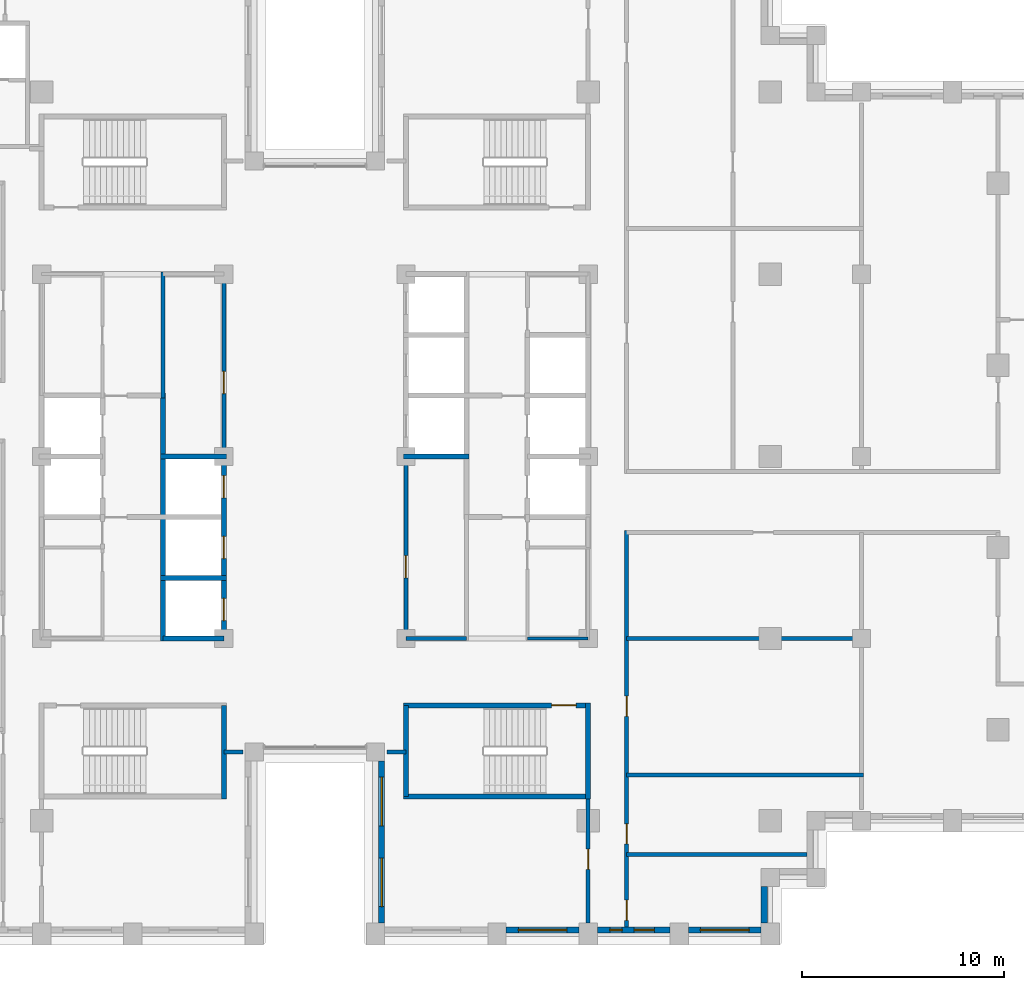
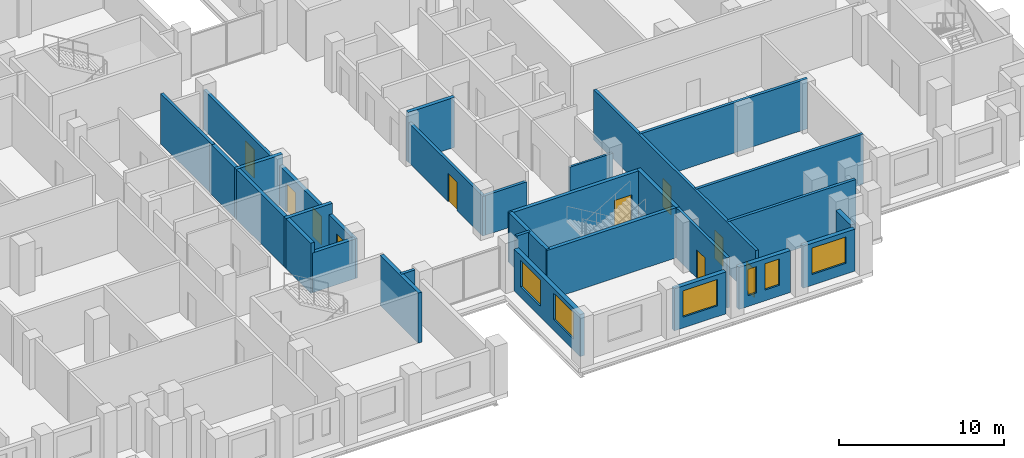
# One storey, part 8 of 15: 28 walls, 10 doors, 6 windows, 16 openings.
"""IFC4 building model written with IfcOpenShell, lengths in metres."""

from ifc_helpers import new_model, si_unit, direction, frame, frame_2d, origin, place, context, subcontext, project, spatial, rectangle, extrude, material, layer, layer_set, type_object, element, fill, save


model = new_model("IFC4")

# Units and contexts
model_context = context("Model", 3, precision=1e-05, world=origin(), true_north=direction((0.0, 1.0)))
body_context = subcontext(model_context, "Body", "Model", "MODEL_VIEW")
ifc_project = project(units=[si_unit("LENGTHUNIT", "METRE"), si_unit("AREAUNIT", "SQUARE_METRE"), si_unit("VOLUMEUNIT", "CUBIC_METRE"), si_unit("PLANEANGLEUNIT", "RADIAN"), si_unit("MASSUNIT", "GRAM", prefix="KILO")], contexts=[model_context])

# Site, building, storey
site_placement = place(None, origin())
site = spatial("IfcSite", under=ifc_project, at=site_placement, CompositionType="ELEMENT")
building_placement = place(site_placement, origin())
building = spatial("IfcBuilding", under=site, at=building_placement, Name="Corbelhall Arena Tower", CompositionType="ELEMENT")
storey_placement = place(building_placement, frame((0.0, 0.0, 166.0)))
storey = spatial("IfcBuildingStorey", under=building, at=storey_placement, Name="L33", CompositionType="ELEMENT", Elevation=166.0)

# Wall, openings, windows
ifc_material_1 = material(Name="Precast concrete C40/50 with granite facing", Category="masonry")
ifc_layer_1 = layer(ifc_material_1, 0.300048828125)
ifc_layer_set_1 = layer_set([ifc_layer_1], Name="EV-IW1 Infill panel 300")
wall_type_1 = type_object("IfcWallType", Name="EV-IW1 Infill panel 300", PredefinedType="SOLIDWALL", material=ifc_layer_set_1)
wall_1_placement = place(storey_placement, frame((3.300048828125, -15.050048828125, 0.0), z_axis=(0.0, 0.0, 1.0), x_axis=(0.0, -1.0, 0.0)))
wall_1 = element("IfcWall", 1, at=wall_1_placement, inside=storey, type_object=wall_type_1, Name="Infill panel IW1", PredefinedType="SOLIDWALL", context=body_context, shape_type="SweptSolid", body=[
    extrude(rectangle(XDim=8.0, YDim=0.300048828125, at=frame_2d((4.0, 0.0))), origin(), (0.0, 0.0, 1.0), 3.10009765625),
])
opening_1_placement = place(wall_1_placement, frame((0.800048828125, 0.0, 0.800048828125)))
opening_1 = element("IfcOpeningElement", 2, at=opening_1_placement, cuts=wall_1, Name="Opening WN1", PredefinedType="OPENING", context=body_context, shape_type="SweptSolid", body=[
    extrude(rectangle(XDim=2.39990234375, YDim=1.949951171875, at=frame_2d((1.199951171875, 0.97509765625))), frame((0.0, 0.14990234375, 0.0), z_axis=(0.0, -1.0, 0.0), x_axis=(1.0, 0.0, 0.0)), (0.0, 0.0, 1.0), 0.300048828125),
])
opening_2_placement = place(wall_1_placement, frame((4.800048828125, 0.0, 0.800048828125)))
opening_2 = element("IfcOpeningElement", 3, at=opening_2_placement, cuts=wall_1, Name="Opening WN1", PredefinedType="OPENING", context=body_context, shape_type="SweptSolid", body=[
    extrude(rectangle(XDim=2.39990234375, YDim=1.949951171875, at=frame_2d((1.199951171875, 0.97509765625))), frame((0.0, 0.14990234375, 0.0), z_axis=(0.0, -1.0, 0.0), x_axis=(1.0, 0.0, 0.0)), (0.0, 0.0, 1.0), 0.300048828125),
])
ifc_material_2 = material(Name="Aluminium black anodised", Category="aluminium")
window_type_1 = type_object("IfcWindowType", Name="EV-WN1 Office window", PartitioningType="SINGLE_PANEL", PredefinedType="WINDOW", material=ifc_material_2)
window_1_placement = place(opening_1_placement, origin())
window_1 = element("IfcWindow", 4, at=window_1_placement, inside=storey, type_object=window_type_1, Name="Window WN1", OverallHeight=1.949951171875, OverallWidth=2.39990234375, PartitioningType="SINGLE_PANEL", PredefinedType="WINDOW", context=body_context, shape_type="SweptSolid", body=[
    extrude(rectangle(XDim=2.39990234375, YDim=1.949951171875, at=frame_2d((1.199951171875, 0.97509765625))), frame((0.0, 0.030029296875, 0.0), z_axis=(0.0, -1.0, 0.0), x_axis=(1.0, 0.0, 0.0)), (0.0, 0.0, 1.0), 0.06005859375),
])
fill(opening_1, window_1)
window_2_placement = place(opening_2_placement, origin())
window_2 = element("IfcWindow", 5, at=window_2_placement, inside=storey, type_object=window_type_1, Name="Window WN1", OverallHeight=1.949951171875, OverallWidth=2.39990234375, PartitioningType="SINGLE_PANEL", PredefinedType="WINDOW", context=body_context, shape_type="SweptSolid", body=[
    extrude(rectangle(XDim=2.39990234375, YDim=1.949951171875, at=frame_2d((1.199951171875, 0.97509765625))), frame((0.0, 0.030029296875, 0.0), z_axis=(0.0, -1.0, 0.0), x_axis=(1.0, 0.0, 0.0)), (0.0, 0.0, 1.0), 0.06005859375),
])
fill(opening_2, window_2)

# Wall, opening, window
wall_2_placement = place(storey_placement, frame((9.449951171875, -23.39990234375, 0.0), z_axis=(0.0, 0.0, 1.0), x_axis=(1.0, 0.0, 0.0)))
wall_2 = element("IfcWall", 6, at=wall_2_placement, inside=storey, type_object=wall_type_1, Name="Infill panel IW1", PredefinedType="SOLIDWALL", context=body_context, shape_type="SweptSolid", body=[
    extrude(rectangle(XDim=3.60009765625, YDim=0.300048828125, at=frame_2d((1.800048828125, 0.0))), origin(), (0.0, 0.0, 1.0), 3.10009765625),
])
opening_3_placement = place(wall_2_placement, frame((0.60009765625, 0.0, 0.800048828125)))
opening_3 = element("IfcOpeningElement", 7, at=opening_3_placement, cuts=wall_2, Name="Opening WN1", PredefinedType="OPENING", context=body_context, shape_type="SweptSolid", body=[
    extrude(rectangle(XDim=2.39990234375, YDim=1.949951171875, at=frame_2d((1.199951171875, 0.97509765625))), frame((0.0, 0.14990234375, 0.0), z_axis=(0.0, -1.0, 0.0), x_axis=(1.0, 0.0, 0.0)), (0.0, 0.0, 1.0), 0.300048828125),
])
window_3_placement = place(opening_3_placement, origin())
window_3 = element("IfcWindow", 8, at=window_3_placement, inside=storey, type_object=window_type_1, Name="Window WN1", OverallHeight=1.949951171875, OverallWidth=2.39990234375, PartitioningType="SINGLE_PANEL", PredefinedType="WINDOW", context=body_context, shape_type="SweptSolid", body=[
    extrude(rectangle(XDim=2.39990234375, YDim=1.949951171875, at=frame_2d((1.199951171875, 0.97509765625))), frame((0.0, 0.030029296875, 0.0), z_axis=(0.0, -1.0, 0.0), x_axis=(1.0, 0.0, 0.0)), (0.0, 0.0, 1.0), 0.06005859375),
])
fill(opening_3, window_3)

# Wall, openings, windows
wall_3_placement = place(storey_placement, frame((13.949951171875, -23.39990234375, 0.0), z_axis=(0.0, 0.0, 1.0), x_axis=(1.0, 0.0, 0.0)))
wall_3 = element("IfcWall", 9, at=wall_3_placement, inside=storey, type_object=wall_type_1, Name="Infill panel IW1", PredefinedType="SOLIDWALL", context=body_context, shape_type="SweptSolid", body=[
    extrude(rectangle(XDim=3.60009765625, YDim=0.300048828125, at=frame_2d((1.800048828125, 0.0))), origin(), (0.0, 0.0, 1.0), 3.10009765625),
])
opening_4_placement = place(wall_3_placement, frame((0.625, 0.0, 0.800048828125)))
opening_4 = element("IfcOpeningElement", 10, at=opening_4_placement, cuts=wall_3, Name="Opening WN5", PredefinedType="OPENING", context=body_context, shape_type="SweptSolid", body=[
    extrude(rectangle(XDim=0.60009765625, YDim=1.949951171875, at=frame_2d((0.300048828125, 0.97509765625))), frame((0.0, 0.14990234375, 0.0), z_axis=(0.0, -1.0, 0.0), x_axis=(1.0, 0.0, 0.0)), (0.0, 0.0, 1.0), 0.300048828125),
])
opening_5_placement = place(wall_3_placement, frame((1.824951171875, 0.0, 0.800048828125)))
opening_5 = element("IfcOpeningElement", 11, at=opening_5_placement, cuts=wall_3, Name="Opening WN6", PredefinedType="OPENING", context=body_context, shape_type="SweptSolid", body=[
    extrude(rectangle(XDim=1.0, YDim=1.949951171875, at=frame_2d((0.5, 0.97509765625))), frame((0.0, 0.14990234375, 0.0), z_axis=(0.0, -1.0, 0.0), x_axis=(1.0, 0.0, 0.0)), (0.0, 0.0, 1.0), 0.300048828125),
])
window_type_2 = type_object("IfcWindowType", Name="EV-WN5 Office window 600", PartitioningType="SINGLE_PANEL", PredefinedType="WINDOW", material=ifc_material_2)
window_4_placement = place(opening_4_placement, origin())
window_4 = element("IfcWindow", 12, at=window_4_placement, inside=storey, type_object=window_type_2, Name="Window WN5", OverallHeight=1.949951171875, OverallWidth=0.60009765625, PartitioningType="SINGLE_PANEL", PredefinedType="WINDOW", context=body_context, shape_type="SweptSolid", body=[
    extrude(rectangle(XDim=0.60009765625, YDim=1.949951171875, at=frame_2d((0.300048828125, 0.97509765625))), frame((0.0, 0.030029296875, 0.0), z_axis=(0.0, -1.0, 0.0), x_axis=(1.0, 0.0, 0.0)), (0.0, 0.0, 1.0), 0.06005859375),
])
fill(opening_4, window_4)
window_type_3 = type_object("IfcWindowType", Name="EV-WN6 Office window 1000", PartitioningType="SINGLE_PANEL", PredefinedType="WINDOW", material=ifc_material_2)
window_5_placement = place(opening_5_placement, origin())
window_5 = element("IfcWindow", 13, at=window_5_placement, inside=storey, type_object=window_type_3, Name="Window WN6", OverallHeight=1.949951171875, OverallWidth=1.0, PartitioningType="SINGLE_PANEL", PredefinedType="WINDOW", context=body_context, shape_type="SweptSolid", body=[
    extrude(rectangle(XDim=1.0, YDim=1.949951171875, at=frame_2d((0.5, 0.97509765625))), frame((0.0, 0.030029296875, 0.0), z_axis=(0.0, -1.0, 0.0), x_axis=(1.0, 0.0, 0.0)), (0.0, 0.0, 1.0), 0.06005859375),
])
fill(opening_5, window_5)

# Wall, opening, window
wall_4_placement = place(storey_placement, frame((18.449951171875, -23.39990234375, 0.0), z_axis=(0.0, 0.0, 1.0), x_axis=(1.0, 0.0, 0.0)))
wall_4 = element("IfcWall", 14, at=wall_4_placement, inside=storey, type_object=wall_type_1, Name="Infill panel IW1", PredefinedType="SOLIDWALL", context=body_context, shape_type="SweptSolid", body=[
    extrude(rectangle(XDim=3.60009765625, YDim=0.300048828125, at=frame_2d((1.800048828125, 0.0))), origin(), (0.0, 0.0, 1.0), 3.10009765625),
])
opening_6_placement = place(wall_4_placement, frame((0.60009765625, 0.0, 0.800048828125)))
opening_6 = element("IfcOpeningElement", 15, at=opening_6_placement, cuts=wall_4, Name="Opening WN1", PredefinedType="OPENING", context=body_context, shape_type="SweptSolid", body=[
    extrude(rectangle(XDim=2.39990234375, YDim=1.949951171875, at=frame_2d((1.199951171875, 0.97509765625))), frame((0.0, 0.14990234375, 0.0), z_axis=(0.0, -1.0, 0.0), x_axis=(1.0, 0.0, 0.0)), (0.0, 0.0, 1.0), 0.300048828125),
])
window_6_placement = place(opening_6_placement, origin())
window_6 = element("IfcWindow", 16, at=window_6_placement, inside=storey, type_object=window_type_1, Name="Window WN1", OverallHeight=1.949951171875, OverallWidth=2.39990234375, PartitioningType="SINGLE_PANEL", PredefinedType="WINDOW", context=body_context, shape_type="SweptSolid", body=[
    extrude(rectangle(XDim=2.39990234375, YDim=1.949951171875, at=frame_2d((1.199951171875, 0.97509765625))), frame((0.0, 0.030029296875, 0.0), z_axis=(0.0, -1.0, 0.0), x_axis=(1.0, 0.0, 0.0)), (0.0, 0.0, 1.0), 0.06005859375),
])
fill(opening_6, window_6)

# Walls
wall_5_placement = place(storey_placement, frame((22.199951171875, -23.050048828125, 0.0), z_axis=(0.0, 0.0, 1.0), x_axis=(0.0, 1.0, 0.0)))
element("IfcWall", 17, at=wall_5_placement, inside=storey, type_object=wall_type_1, Name="Infill panel IW1", PredefinedType="SOLIDWALL", context=body_context, shape_type="SweptSolid", body=[
    extrude(rectangle(XDim=1.800048828125, YDim=0.300048828125, at=frame_2d((0.89990234375, 0.0))), origin(), (0.0, 0.0, 1.0), 3.10009765625),
])
ifc_material_3 = material(Name="Gypsum board on steel stud, acoustic", Category="steel")
ifc_layer_2 = layer(ifc_material_3, 0.199951171875)
ifc_layer_set_2 = layer_set([ifc_layer_2], Name="IN-W-DM200")
wall_type_2 = type_object("IfcWallType", Name="IN-W-DM200", PredefinedType="PARTITIONING", material=ifc_layer_set_2)
for number, where, z_axis, x_axis, name in (
    (18, (-3.550048828125, -14.60009765625, 0.0), (0.0, 0.0, 1.0), (-1.0, 0.0, 0.0), "Partition 024"),
    (19, (4.5, -14.60009765625, 0.0), (0.0, 0.0, 1.0), (-1.0, 0.0, 0.0), "Partition 026"),
):
    element("IfcWall", number, at=place(storey_placement, frame(where, z_axis=z_axis, x_axis=x_axis)), inside=storey, type_object=wall_type_2, Name=name, PredefinedType="PARTITIONING", context=body_context, shape_type="SweptSolid", body=[
        extrude(rectangle(XDim=0.949951171875, YDim=0.199951171875, at=frame_2d((0.47509765625, 0.0))), origin(), (0.0, 0.0, 1.0), 3.699951171875),
    ])

# Wall, opening, door
wall_6_placement = place(storey_placement, frame((13.5, -23.050048828125, 0.0), z_axis=(0.0, 0.0, 1.0), x_axis=(0.0, 1.0, 0.0)))
wall_6 = element("IfcWall", 20, at=wall_6_placement, inside=storey, type_object=wall_type_2, Name="Partition 027", PredefinedType="PARTITIONING", context=body_context, shape_type="SweptSolid", body=[
    extrude(rectangle(XDim=6.375, YDim=0.199951171875, at=frame_2d((3.1875, 0.0))), origin(), (0.0, 0.0, 1.0), 3.699951171875),
])
opening_7_placement = place(wall_6_placement, frame((2.64990234375, 0.0, 0.0)))
opening_7 = element("IfcOpeningElement", 21, at=opening_7_placement, cuts=wall_6, Name="Opening 09023", PredefinedType="OPENING", context=body_context, shape_type="SweptSolid", body=[
    extrude(rectangle(XDim=1.0, YDim=2.10009765625, at=frame_2d((0.5, 1.050048828125))), frame((0.0, 0.10009765625, 0.0), z_axis=(0.0, -1.0, 0.0), x_axis=(1.0, 0.0, 0.0)), (0.0, 0.0, 1.0), 0.199951171875),
])
ifc_material_4 = material(Name="Steel door set", Category="steel")
door_type_1 = type_object("IfcDoorType", Name="IN-D-SW100", OperationType="NOTDEFINED", PredefinedType="DOOR", material=ifc_material_4)
door_1_placement = place(opening_7_placement, origin())
door_1 = element("IfcDoor", 22, at=door_1_placement, inside=storey, type_object=door_type_1, Name="Door 023", OperationType="SINGLE_SWING_RIGHT", OverallHeight=2.10009765625, OverallWidth=1.0, PredefinedType="DOOR", context=body_context, shape_type="SweptSolid", body=[
    extrude(rectangle(XDim=1.0, YDim=2.10009765625, at=frame_2d((0.5, 1.050048828125))), frame((0.0, 0.02490234375, 0.0), z_axis=(0.0, -1.0, 0.0), x_axis=(1.0, 0.0, 0.0)), (0.0, 0.0, 1.0), 0.050048828125),
])
fill(opening_7, door_1)

# Wall
wall_7_placement = place(storey_placement, frame((15.39990234375, -19.675048828125, 0.0), z_axis=(0.0, 0.0, 1.0), x_axis=(1.0, 0.0, 0.0)))
element("IfcWall", 23, at=wall_7_placement, inside=storey, type_object=wall_type_2, Name="Partition 029", PredefinedType="PARTITIONING", context=body_context, shape_type="SweptSolid", body=[
    extrude(rectangle(XDim=8.900146484375, YDim=0.199951171875, at=frame_2d((4.4501953125, 0.0))), origin(), (0.0, 0.0, 1.0), 3.699951171875),
])

# Wall, openings, doors
wall_8_placement = place(storey_placement, frame((15.39990234375, -3.64990234375, 0.0), z_axis=(0.0, 0.0, 1.0), x_axis=(0.0, -1.0, 0.0)))
wall_8 = element("IfcWall", 24, at=wall_8_placement, inside=storey, type_object=wall_type_2, Name="Partition 030", PredefinedType="PARTITIONING", context=body_context, shape_type="SweptSolid", body=[
    extrude(rectangle(XDim=19.60009765625, YDim=0.199951171875, at=frame_2d((9.800048828125, 0.0))), origin(), (0.0, 0.0, 1.0), 3.699951171875),
])
opening_8_placement = place(wall_8_placement, frame((18.27490234375, 0.0, 0.0)))
opening_8 = element("IfcOpeningElement", 25, at=opening_8_placement, cuts=wall_8, Name="Opening 09035", PredefinedType="OPENING", context=body_context, shape_type="SweptSolid", body=[
    extrude(rectangle(XDim=1.0, YDim=2.10009765625, at=frame_2d((0.5, 1.050048828125))), frame((0.0, 0.10009765625, 0.0), z_axis=(0.0, -1.0, 0.0), x_axis=(1.0, 0.0, 0.0)), (0.0, 0.0, 1.0), 0.199951171875),
])
opening_9_placement = place(wall_8_placement, frame((14.5, 0.0, 0.0)))
opening_9 = element("IfcOpeningElement", 26, at=opening_9_placement, cuts=wall_8, Name="Opening 09036", PredefinedType="OPENING", context=body_context, shape_type="SweptSolid", body=[
    extrude(rectangle(XDim=1.0, YDim=2.10009765625, at=frame_2d((0.5, 1.050048828125))), frame((0.0, 0.10009765625, 0.0), z_axis=(0.0, -1.0, 0.0), x_axis=(1.0, 0.0, 0.0)), (0.0, 0.0, 1.0), 0.199951171875),
])
opening_10_placement = place(wall_8_placement, frame((8.199951171875, 0.0, 0.0)))
opening_10 = element("IfcOpeningElement", 27, at=opening_10_placement, cuts=wall_8, Name="Opening 09037", PredefinedType="OPENING", context=body_context, shape_type="SweptSolid", body=[
    extrude(rectangle(XDim=1.0, YDim=2.10009765625, at=frame_2d((0.5, 1.050048828125))), frame((0.0, 0.10009765625, 0.0), z_axis=(0.0, -1.0, 0.0), x_axis=(1.0, 0.0, 0.0)), (0.0, 0.0, 1.0), 0.199951171875),
])
door_2_placement = place(opening_8_placement, origin())
door_2 = element("IfcDoor", 28, at=door_2_placement, inside=storey, type_object=door_type_1, Name="Door 035", OperationType="SINGLE_SWING_RIGHT", OverallHeight=2.10009765625, OverallWidth=1.0, PredefinedType="DOOR", context=body_context, shape_type="SweptSolid", body=[
    extrude(rectangle(XDim=1.0, YDim=2.10009765625, at=frame_2d((0.5, 1.050048828125))), frame((0.0, 0.02490234375, 0.0), z_axis=(0.0, -1.0, 0.0), x_axis=(1.0, 0.0, 0.0)), (0.0, 0.0, 1.0), 0.050048828125),
])
fill(opening_8, door_2)
door_3_placement = place(opening_9_placement, origin())
door_3 = element("IfcDoor", 29, at=door_3_placement, inside=storey, type_object=door_type_1, Name="Door 036", OperationType="SINGLE_SWING_LEFT", OverallHeight=2.10009765625, OverallWidth=1.0, PredefinedType="DOOR", context=body_context, shape_type="SweptSolid", body=[
    extrude(rectangle(XDim=1.0, YDim=2.10009765625, at=frame_2d((0.5, 1.050048828125))), frame((0.0, 0.02490234375, 0.0), z_axis=(0.0, -1.0, 0.0), x_axis=(1.0, 0.0, 0.0)), (0.0, 0.0, 1.0), 0.050048828125),
])
fill(opening_9, door_3)
door_4_placement = place(opening_10_placement, origin())
door_4 = element("IfcDoor", 30, at=door_4_placement, inside=storey, type_object=door_type_1, Name="Door 037", OperationType="SINGLE_SWING_RIGHT", OverallHeight=2.10009765625, OverallWidth=1.0, PredefinedType="DOOR", context=body_context, shape_type="SweptSolid", body=[
    extrude(rectangle(XDim=1.0, YDim=2.10009765625, at=frame_2d((0.5, 1.050048828125))), frame((0.0, 0.02490234375, 0.0), z_axis=(0.0, -1.0, 0.0), x_axis=(1.0, 0.0, 0.0)), (0.0, 0.0, 1.0), 0.050048828125),
])
fill(opening_10, door_4)

# Walls
for number, where, z_axis, x_axis, name in (
    (31, (15.39990234375, -15.75, 0.0), (0.0, 0.0, 1.0), (1.0, 0.0, 0.0), "Partition 031"),
    (32, (15.39990234375, -9.0, 0.0), (0.0, 0.0, 1.0), (1.0, 0.0, 0.0), "Partition 032"),
):
    element("IfcWall", number, at=place(storey_placement, frame(where, z_axis=z_axis, x_axis=x_axis)), inside=storey, type_object=wall_type_2, Name=name, PredefinedType="PARTITIONING", context=body_context, shape_type="SweptSolid", body=[
        extrude(rectangle(XDim=11.7001953125, YDim=0.199951171875, at=frame_2d((5.85009765625, 0.0))), origin(), (0.0, 0.0, 1.0), 3.699951171875),
    ])
ifc_material_5 = material(Name="Concrete block wall", Category="concrete")
ifc_layer_3 = layer(ifc_material_5, 0.199951171875)
ifc_layer_set_3 = layer_set([ifc_layer_3], Name="IN-W-RS200")
wall_type_3 = type_object("IfcWallType", Name="IN-W-RS200", PredefinedType="SOLIDWALL", material=ifc_layer_set_3)
wall_9_placement = place(storey_placement, frame((-7.5, 2.875, 0.0), z_axis=(0.0, 0.0, 1.0), x_axis=(0.0, 1.0, 0.0)))
element("IfcWall", 33, at=wall_9_placement, inside=storey, type_object=wall_type_3, Name="Partition 046", PredefinedType="SOLIDWALL", context=body_context, shape_type="SweptSolid", body=[
    extrude(rectangle(XDim=6.22509765625, YDim=0.199951171875, at=frame_2d((3.112548828125, 0.0))), origin(), (0.0, 0.0, 1.0), 3.699951171875),
])

# Wall, opening, door
ifc_layer_4 = layer(ifc_material_5, 0.199951171875)
ifc_layer_set_4 = layer_set([ifc_layer_4], Name="IN-W-RS200 under beam 762 mm")
wall_type_4 = type_object("IfcWallType", Name="IN-W-RS200 under beam 762 mm", PredefinedType="SOLIDWALL", material=ifc_layer_set_4)
wall_10_placement = place(storey_placement, frame((-4.5, 9.10009765625, 0.0), z_axis=(0.0, 0.0, 1.0), x_axis=(0.0, -1.0, 0.0)))
wall_10 = element("IfcWall", 34, at=wall_10_placement, inside=storey, type_object=wall_type_4, Name="Partition 048", PredefinedType="SOLIDWALL", context=body_context, shape_type="SweptSolid", body=[
    extrude(rectangle(XDim=9.10009765625, YDim=0.199951171875, at=frame_2d((4.550048828125, 0.0))), origin(), (0.0, 0.0, 1.0), 2.93798828125),
])
opening_11_placement = place(wall_10_placement, frame((4.89990234375, 0.0, 0.0)))
opening_11 = element("IfcOpeningElement", 35, at=opening_11_placement, cuts=wall_10, Name="Opening 09001", PredefinedType="OPENING", context=body_context, shape_type="SweptSolid", body=[
    extrude(rectangle(XDim=1.10009765625, YDim=2.10009765625, at=frame_2d((0.550048828125, 1.050048828125))), frame((0.0, 0.10009765625, 0.0), z_axis=(0.0, -1.0, 0.0), x_axis=(1.0, 0.0, 0.0)), (0.0, 0.0, 1.0), 0.199951171875),
])
door_type_2 = type_object("IfcDoorType", Name="IN-D-FD110", OperationType="NOTDEFINED", PredefinedType="DOOR", material=ifc_material_4)
door_5_placement = place(opening_11_placement, origin())
door_5 = element("IfcDoor", 36, at=door_5_placement, inside=storey, type_object=door_type_2, Name="Door 001", OperationType="SINGLE_SWING_RIGHT", OverallHeight=2.10009765625, OverallWidth=1.10009765625, PredefinedType="DOOR", context=body_context, shape_type="SweptSolid", body=[
    extrude(rectangle(XDim=1.10009765625, YDim=2.10009765625, at=frame_2d((0.550048828125, 1.050048828125))), frame((0.0, 0.02490234375, 0.0), z_axis=(0.0, -1.0, 0.0), x_axis=(1.0, 0.0, 0.0)), (0.0, 0.0, 1.0), 0.050048828125),
])
fill(opening_11, door_5)

wall_11_placement = place(storey_placement, frame((4.5, -9.10009765625, 0.0), z_axis=(0.0, 0.0, 1.0), x_axis=(0.0, 1.0, 0.0)))
wall_11 = element("IfcWall", 37, at=wall_11_placement, inside=storey, type_object=wall_type_4, Name="Partition 049", PredefinedType="SOLIDWALL", context=body_context, shape_type="SweptSolid", body=[
    extrude(rectangle(XDim=9.10009765625, YDim=0.199951171875, at=frame_2d((4.550048828125, 0.0))), origin(), (0.0, 0.0, 1.0), 2.93798828125),
])
opening_12_placement = place(wall_11_placement, frame((3.10009765625, 0.0, 0.0)))
opening_12 = element("IfcOpeningElement", 38, at=opening_12_placement, cuts=wall_11, Name="Opening 09007", PredefinedType="OPENING", context=body_context, shape_type="SweptSolid", body=[
    extrude(rectangle(XDim=1.10009765625, YDim=2.10009765625, at=frame_2d((0.550048828125, 1.050048828125))), frame((0.0, 0.10009765625, 0.0), z_axis=(0.0, -1.0, 0.0), x_axis=(1.0, 0.0, 0.0)), (0.0, 0.0, 1.0), 0.199951171875),
])
door_6_placement = place(opening_12_placement, origin())
door_6 = element("IfcDoor", 39, at=door_6_placement, inside=storey, type_object=door_type_2, Name="Door 007", OperationType="SINGLE_SWING_RIGHT", OverallHeight=2.10009765625, OverallWidth=1.10009765625, PredefinedType="DOOR", context=body_context, shape_type="SweptSolid", body=[
    extrude(rectangle(XDim=1.10009765625, YDim=2.10009765625, at=frame_2d((0.550048828125, 1.050048828125))), frame((0.0, 0.02490234375, 0.0), z_axis=(0.0, -1.0, 0.0), x_axis=(1.0, 0.0, 0.0)), (0.0, 0.0, 1.0), 0.050048828125),
])
fill(opening_12, door_6)

# Walls
wall_12_placement = place(storey_placement, frame((7.5, -9.0, 0.0), z_axis=(0.0, 0.0, 1.0), x_axis=(-1.0, 0.0, 0.0)))
element("IfcWall", 40, at=wall_12_placement, inside=storey, type_object=wall_type_4, Name="Partition 050", PredefinedType="SOLIDWALL", context=body_context, shape_type="SweptSolid", body=[
    extrude(rectangle(XDim=3.0, YDim=0.199951171875, at=frame_2d((1.5, 0.0))), origin(), (0.0, 0.0, 1.0), 2.93798828125),
])
ifc_material_6 = material(Name="Concrete C40/50", Category="concrete")
ifc_layer_5 = layer(ifc_material_6, 0.25)
ifc_layer_set_5 = layer_set([ifc_layer_5], Name="IN-W-SH250")
wall_type_5 = type_object("IfcWallType", Name="IN-W-SH250", PredefinedType="SOLIDWALL", material=ifc_layer_set_5)
for number, where, z_axis, x_axis, name in (
    (41, (-7.625, -6.0, 0.0), (0.0, 0.0, 1.0), (1.0, 0.0, 0.0), "Shaft wall 062"),
    (42, (-7.625, 0.0, 0.0), (0.0, 0.0, 1.0), (1.0, 0.0, 0.0), "Shaft wall 063"),
):
    element("IfcWall", number, at=place(storey_placement, frame(where, z_axis=z_axis, x_axis=x_axis)), inside=storey, type_object=wall_type_5, Name=name, PredefinedType="SOLIDWALL", context=body_context, shape_type="SweptSolid", body=[
        extrude(rectangle(XDim=3.25, YDim=0.25, at=frame_2d((1.625, 0.0))), origin(), (0.0, 0.0, 1.0), 3.699951171875),
    ])
wall_13_placement = place(storey_placement, frame((-7.5, -9.125, 0.0), z_axis=(0.0, 0.0, 1.0), x_axis=(0.0, 1.0, 0.0)))
element("IfcWall", 43, at=wall_13_placement, inside=storey, type_object=wall_type_5, Name="Shaft wall 064", PredefinedType="SOLIDWALL", context=body_context, shape_type="SweptSolid", body=[
    extrude(rectangle(XDim=12.25, YDim=0.25, at=frame_2d((6.125, 0.0))), origin(), (0.0, 0.0, 1.0), 3.699951171875),
])
wall_14_placement = place(storey_placement, frame((4.375, 0.0, 0.0), z_axis=(0.0, 0.0, 1.0), x_axis=(1.0, 0.0, 0.0)))
element("IfcWall", 44, at=wall_14_placement, inside=storey, type_object=wall_type_5, Name="Shaft wall 067", PredefinedType="SOLIDWALL", context=body_context, shape_type="SweptSolid", body=[
    extrude(rectangle(XDim=3.25, YDim=0.25, at=frame_2d((1.625, 0.0))), origin(), (0.0, 0.0, 1.0), 3.699951171875),
])
ifc_layer_6 = layer(ifc_material_6, 0.25)
ifc_layer_set_6 = layer_set([ifc_layer_6], Name="IN-W-SH250 under beam 762 mm")
wall_type_6 = type_object("IfcWallType", Name="IN-W-SH250 under beam 762 mm", PredefinedType="SOLIDWALL", material=ifc_layer_set_6)
wall_15_placement = place(storey_placement, frame((-4.5, -9.0, 0.0), z_axis=(0.0, 0.0, 1.0), x_axis=(-1.0, 0.0, 0.0)))
element("IfcWall", 45, at=wall_15_placement, inside=storey, type_object=wall_type_6, Name="Shaft wall 065", PredefinedType="SOLIDWALL", context=body_context, shape_type="SweptSolid", body=[
    extrude(rectangle(XDim=3.0, YDim=0.25, at=frame_2d((1.5, 0.0))), origin(), (0.0, 0.0, 1.0), 2.93798828125),
])

# Wall, openings, doors
wall_16_placement = place(storey_placement, frame((-4.5, 0.0, 0.0), z_axis=(0.0, 0.0, 1.0), x_axis=(0.0, -1.0, 0.0)))
wall_16 = element("IfcWall", 46, at=wall_16_placement, inside=storey, type_object=wall_type_6, Name="Shaft wall 066", PredefinedType="SOLIDWALL", context=body_context, shape_type="SweptSolid", body=[
    extrude(rectangle(XDim=9.125, YDim=0.25, at=frame_2d((4.5625, 0.0))), origin(), (0.0, 0.0, 1.0), 2.93798828125),
])
opening_13_placement = place(wall_16_placement, frame((7.012451171875, 0.0, 0.0)))
opening_13 = element("IfcOpeningElement", 47, at=opening_13_placement, cuts=wall_16, Name="Opening LD", PredefinedType="OPENING", context=body_context, shape_type="SweptSolid", body=[
    extrude(rectangle(XDim=1.10009765625, YDim=2.10009765625, at=frame_2d((0.550048828125, 1.050048828125))), frame((0.0, 0.125, 0.0), z_axis=(0.0, -1.0, 0.0), x_axis=(1.0, 0.0, 0.0)), (0.0, 0.0, 1.0), 0.25),
])
opening_14_placement = place(wall_16_placement, frame((3.949951171875, 0.0, 0.0)))
opening_14 = element("IfcOpeningElement", 48, at=opening_14_placement, cuts=wall_16, Name="Opening LD", PredefinedType="OPENING", context=body_context, shape_type="SweptSolid", body=[
    extrude(rectangle(XDim=1.10009765625, YDim=2.10009765625, at=frame_2d((0.550048828125, 1.050048828125))), frame((0.0, 0.125, 0.0), z_axis=(0.0, -1.0, 0.0), x_axis=(1.0, 0.0, 0.0)), (0.0, 0.0, 1.0), 0.25),
])
opening_15_placement = place(wall_16_placement, frame((0.949951171875, 0.0, 0.0)))
opening_15 = element("IfcOpeningElement", 49, at=opening_15_placement, cuts=wall_16, Name="Opening LD", PredefinedType="OPENING", context=body_context, shape_type="SweptSolid", body=[
    extrude(rectangle(XDim=1.10009765625, YDim=2.10009765625, at=frame_2d((0.550048828125, 1.050048828125))), frame((0.0, 0.125, 0.0), z_axis=(0.0, -1.0, 0.0), x_axis=(1.0, 0.0, 0.0)), (0.0, 0.0, 1.0), 0.25),
])
door_type_3 = type_object("IfcDoorType", Name="IN-D-LD110", OperationType="NOTDEFINED", PredefinedType="DOOR", material=ifc_material_4)
door_7_placement = place(opening_13_placement, origin())
door_7 = element("IfcDoor", 50, at=door_7_placement, inside=storey, type_object=door_type_3, Name="Landing door W1", OperationType="SLIDING_TO_LEFT", OverallHeight=2.10009765625, OverallWidth=1.10009765625, PredefinedType="DOOR", context=body_context, shape_type="SweptSolid", body=[
    extrude(rectangle(XDim=1.10009765625, YDim=2.10009765625, at=frame_2d((0.550048828125, 1.050048828125))), frame((0.0, 0.02490234375, 0.0), z_axis=(0.0, -1.0, 0.0), x_axis=(1.0, 0.0, 0.0)), (0.0, 0.0, 1.0), 0.050048828125),
])
fill(opening_13, door_7)
door_8_placement = place(opening_14_placement, origin())
door_8 = element("IfcDoor", 51, at=door_8_placement, inside=storey, type_object=door_type_3, Name="Landing door W2", OperationType="SLIDING_TO_LEFT", OverallHeight=2.10009765625, OverallWidth=1.10009765625, PredefinedType="DOOR", context=body_context, shape_type="SweptSolid", body=[
    extrude(rectangle(XDim=1.10009765625, YDim=2.10009765625, at=frame_2d((0.550048828125, 1.050048828125))), frame((0.0, 0.02490234375, 0.0), z_axis=(0.0, -1.0, 0.0), x_axis=(1.0, 0.0, 0.0)), (0.0, 0.0, 1.0), 0.050048828125),
])
fill(opening_14, door_8)
door_9_placement = place(opening_15_placement, origin())
door_9 = element("IfcDoor", 52, at=door_9_placement, inside=storey, type_object=door_type_3, Name="Landing door W3", OperationType="SLIDING_TO_LEFT", OverallHeight=2.10009765625, OverallWidth=1.10009765625, PredefinedType="DOOR", context=body_context, shape_type="SweptSolid", body=[
    extrude(rectangle(XDim=1.10009765625, YDim=2.10009765625, at=frame_2d((0.550048828125, 1.050048828125))), frame((0.0, 0.02490234375, 0.0), z_axis=(0.0, -1.0, 0.0), x_axis=(1.0, 0.0, 0.0)), (0.0, 0.0, 1.0), 0.050048828125),
])
fill(opening_15, door_9)

# Walls
ifc_layer_7 = layer(ifc_material_6, 0.25)
ifc_layer_set_7 = layer_set([ifc_layer_7], Name="IN-W-ST250")
wall_type_7 = type_object("IfcWallType", Name="IN-W-ST250", PredefinedType="SOLIDWALL", material=ifc_layer_set_7)
wall_17_placement = place(storey_placement, frame((-4.5, -12.300048828125, 0.0), z_axis=(0.0, 0.0, 1.0), x_axis=(0.0, -1.0, 0.0)))
element("IfcWall", 53, at=wall_17_placement, inside=storey, type_object=wall_type_7, Name="Shaft wall 089", PredefinedType="SOLIDWALL", context=body_context, shape_type="SweptSolid", body=[
    extrude(rectangle(XDim=4.625, YDim=0.25, at=frame_2d((2.3125, 0.0))), origin(), (0.0, 0.0, 1.0), 3.699951171875),
])
wall_18_placement = place(storey_placement, frame((4.5, -16.800048828125, 0.0), z_axis=(0.0, 0.0, 1.0), x_axis=(0.0, 1.0, 0.0)))
element("IfcWall", 54, at=wall_18_placement, inside=storey, type_object=wall_type_7, Name="Shaft wall 094", PredefinedType="SOLIDWALL", context=body_context, shape_type="SweptSolid", body=[
    extrude(rectangle(XDim=4.5, YDim=0.25, at=frame_2d((2.25, 0.0))), origin(), (0.0, 0.0, 1.0), 3.699951171875),
])
wall_19_placement = place(storey_placement, frame((13.5, -16.925048828125, 0.0), z_axis=(0.0, 0.0, 1.0), x_axis=(0.0, 1.0, 0.0)))
element("IfcWall", 55, at=wall_19_placement, inside=storey, type_object=wall_type_7, Name="Shaft wall 096", PredefinedType="SOLIDWALL", context=body_context, shape_type="SweptSolid", body=[
    extrude(rectangle(XDim=4.75, YDim=0.25, at=frame_2d((2.375, 0.0))), origin(), (0.0, 0.0, 1.0), 3.699951171875),
])
wall_20_placement = place(storey_placement, frame((13.5, -16.800048828125, 0.0), z_axis=(0.0, 0.0, 1.0), x_axis=(-1.0, 0.0, 0.0)))
element("IfcWall", 56, at=wall_20_placement, inside=storey, type_object=wall_type_7, Name="Shaft wall 097", PredefinedType="SOLIDWALL", context=body_context, shape_type="SweptSolid", body=[
    extrude(rectangle(XDim=9.125, YDim=0.25, at=frame_2d((4.5625, 0.0))), origin(), (0.0, 0.0, 1.0), 3.699951171875),
])

# Wall, opening, door
wall_21_placement = place(storey_placement, frame((13.5, -12.300048828125, 0.0), z_axis=(0.0, 0.0, 1.0), x_axis=(-1.0, 0.0, 0.0)))
wall_21 = element("IfcWall", 57, at=wall_21_placement, inside=storey, type_object=wall_type_7, Name="Shaft wall 098", PredefinedType="SOLIDWALL", context=body_context, shape_type="SweptSolid", body=[
    extrude(rectangle(XDim=9.125, YDim=0.25, at=frame_2d((4.5625, 0.0))), origin(), (0.0, 0.0, 1.0), 3.699951171875),
])
opening_16_placement = place(wall_21_placement, frame((0.60009765625, 0.0, 0.0)))
opening_16 = element("IfcOpeningElement", 58, at=opening_16_placement, cuts=wall_21, Name="Opening 09015", PredefinedType="OPENING", context=body_context, shape_type="SweptSolid", body=[
    extrude(rectangle(XDim=1.199951171875, YDim=2.10009765625, at=frame_2d((0.60009765625, 1.050048828125))), frame((0.0, 0.125, 0.0), z_axis=(0.0, -1.0, 0.0), x_axis=(1.0, 0.0, 0.0)), (0.0, 0.0, 1.0), 0.25),
])
door_type_4 = type_object("IfcDoorType", Name="IN-D-ST120", OperationType="NOTDEFINED", PredefinedType="DOOR", material=ifc_material_4)
door_10_placement = place(opening_16_placement, origin())
door_10 = element("IfcDoor", 59, at=door_10_placement, inside=storey, type_object=door_type_4, Name="Door 015", OperationType="SINGLE_SWING_RIGHT", OverallHeight=2.10009765625, OverallWidth=1.199951171875, PredefinedType="DOOR", context=body_context, shape_type="SweptSolid", body=[
    extrude(rectangle(XDim=1.199951171875, YDim=2.10009765625, at=frame_2d((0.60009765625, 1.050048828125))), frame((0.0, 0.02490234375, 0.0), z_axis=(0.0, -1.0, 0.0), x_axis=(1.0, 0.0, 0.0)), (0.0, 0.0, 1.0), 0.050048828125),
])
fill(opening_16, door_10)

# Wall
ifc_material_7 = material(Name="Gypsum board on steel stud, moisture resistant", Category="steel")
ifc_layer_8 = layer(ifc_material_7, 0.14990234375)
ifc_layer_set_8 = layer_set([ifc_layer_8], Name="IN-W-WC150 under beam 762 mm")
wall_type_8 = type_object("IfcWallType", Name="IN-W-WC150 under beam 762 mm", PredefinedType="PARTITIONING", material=ifc_layer_set_8)
wall_22_placement = place(storey_placement, frame((13.5, -9.0, 0.0), z_axis=(0.0, 0.0, 1.0), x_axis=(-1.0, 0.0, 0.0)))
element("IfcWall", 60, at=wall_22_placement, inside=storey, type_object=wall_type_8, Name="Partition 115", PredefinedType="PARTITIONING", context=body_context, shape_type="SweptSolid", body=[
    extrude(rectangle(XDim=3.0, YDim=0.14990234375, at=frame_2d((1.5, 0.0))), origin(), (0.0, 0.0, 1.0), 2.93798828125),
])

save(model, "model.ifc")
